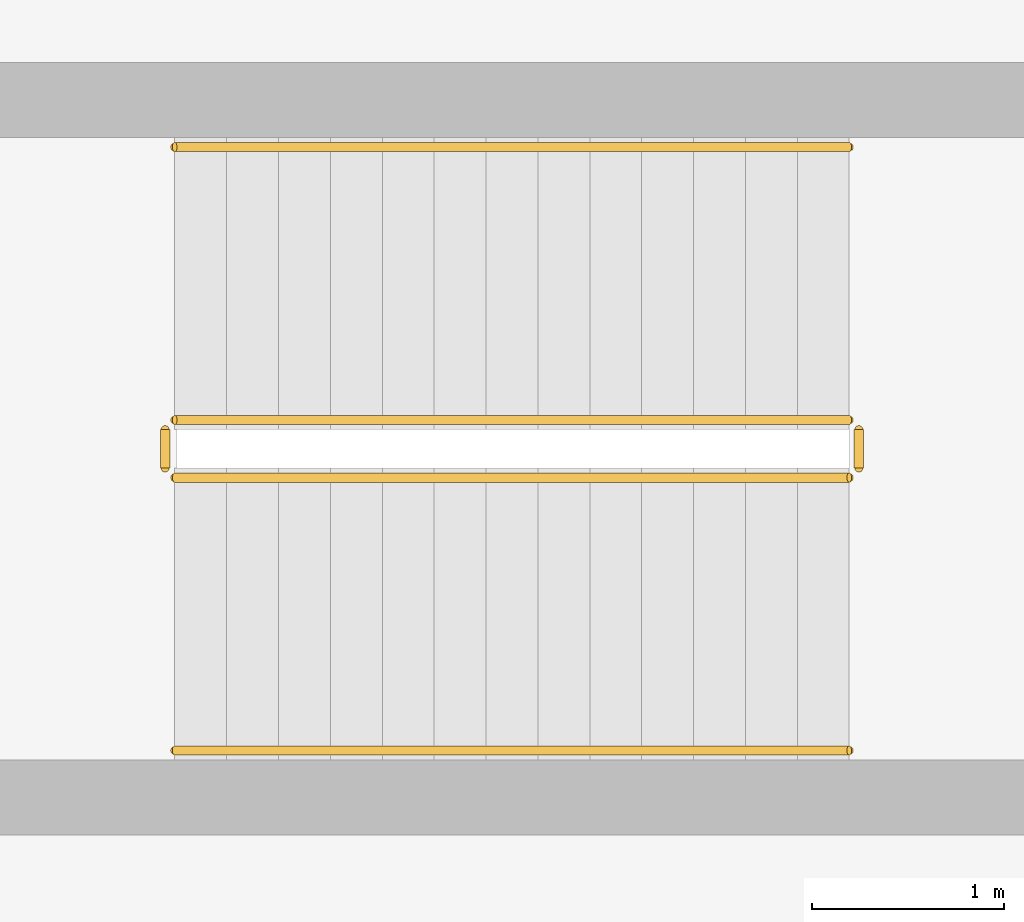
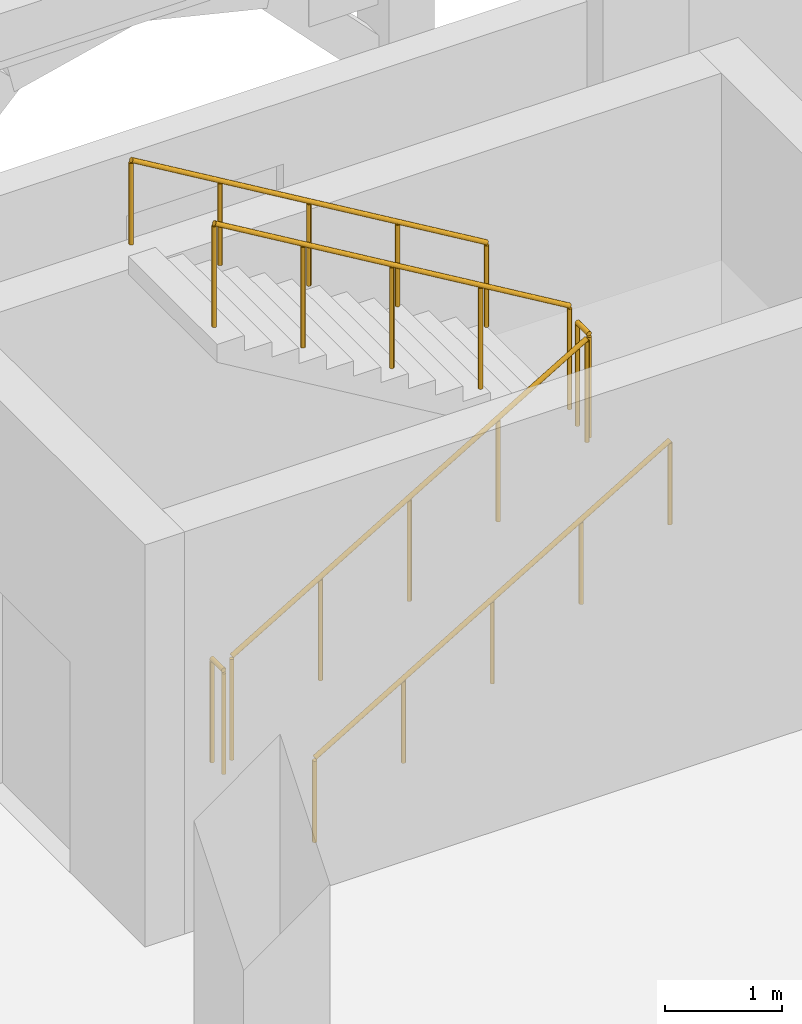
# One storey, part 135 of 137: 6 railings.
"""IFC4 building model written with IfcOpenShell, lengths in metres."""

from ifc_helpers import new_model, si_unit, direction, frame, origin, origin_2d, place, context, subcontext, project, spatial, circle, extrude, material, type_object, element, save


model = new_model("IFC4")

# Units and contexts
model_context = context("Model", 3, precision=1e-05, world=origin(), true_north=direction((0.0, 1.0)))
body_context = subcontext(model_context, "Body", "Model", "MODEL_VIEW")
ifc_project = project(units=[si_unit("LENGTHUNIT", "METRE"), si_unit("AREAUNIT", "SQUARE_METRE"), si_unit("VOLUMEUNIT", "CUBIC_METRE"), si_unit("PLANEANGLEUNIT", "RADIAN"), si_unit("MASSUNIT", "GRAM", prefix="KILO")], contexts=[model_context])

# Site, building, storey
site_placement = place(None, origin())
site = spatial("IfcSite", under=ifc_project, at=site_placement, CompositionType="ELEMENT")
building_placement = place(site_placement, origin())
building = spatial("IfcBuilding", under=site, at=building_placement, Name="Xazarin Passage Department Store", CompositionType="ELEMENT")
storey_placement = place(building_placement, frame((0.0, 0.0, 5.39990234375)))
storey = spatial("IfcBuildingStorey", under=building, at=storey_placement, Name="L01", CompositionType="ELEMENT", Elevation=5.39990234375)

# Railings
ifc_material = material(Name="Steel S355", Category="steel")
railing_type_1 = type_object("IfcRailingType", Name="ARC-RL-GRD112", PredefinedType="GUARDRAIL", material=ifc_material)
railing_1_placement = place(storey_placement, frame((129.639892578125, 105.64990234375, 0.160888671875)))
element("IfcRailing", 1, at=railing_1_placement, inside=storey, type_object=railing_type_1, Name="L01 ST11 stair guard 1", PredefinedType="GUARDRAIL", context=body_context, shape_type="SweptSolid", body=[
    extrude(circle(Radius=0.02392578125, at=origin_2d()), frame((0.0, 0.0, 1.076171875), z_axis=(0.859312273368, 0.0, 0.511451284914), x_axis=(0.0, 1.0, 0.0)), (0.0, 0.0, 1.0), 4.084716796875),
    extrude(circle(Radius=0.02099609375, at=origin_2d()), origin(), (0.0, 0.0, 1.0), 1.0517578125),
    extrude(circle(Radius=0.02099609375, at=origin_2d()), frame((0.87744140625, 0.0, 0.522216796875)), (0.0, 0.0, 1.0), 1.0517578125),
    extrude(circle(Radius=0.02099609375, at=origin_2d()), frame((1.7548828125, 0.0, 1.04443359375)), (0.0, 0.0, 1.0), 1.0517578125),
    extrude(circle(Radius=0.02099609375, at=origin_2d()), frame((2.632568359375, 0.0, 1.56689453125)), (0.0, 0.0, 1.0), 1.0517578125),
    extrude(circle(Radius=0.02099609375, at=origin_2d()), frame((3.510009765625, 0.0, 2.089111328125)), (0.0, 0.0, 1.0), 1.0517578125),
])
railing_2_placement = place(storey_placement, frame((133.199951171875, 105.699951171875, 2.25)))
element("IfcRailing", 2, at=railing_2_placement, inside=storey, type_object=railing_type_1, Name="L01 ST11 stair guard 2", PredefinedType="GUARDRAIL", context=body_context, shape_type="SweptSolid", body=[
    extrude(circle(Radius=0.02392578125, at=origin_2d()), frame((0.0, 0.0, 1.076171875), z_axis=(0.0, 1.0, 0.0), x_axis=(-1.0, 0.0, 0.0)), (0.0, 0.0, 1.0), 0.199951171875),
    extrude(circle(Radius=0.02099609375, at=origin_2d()), origin(), (0.0, 0.0, 1.0), 1.0517578125),
    extrude(circle(Radius=0.02099609375, at=origin_2d()), frame((0.0, 0.199951171875, 0.0)), (0.0, 0.0, 1.0), 1.0517578125),
])
railing_3_placement = place(storey_placement, frame((133.14990234375, 105.949951171875, 2.410888671875)))
element("IfcRailing", 3, at=railing_3_placement, inside=storey, type_object=railing_type_1, Name="L01 ST11 stair guard 3", PredefinedType="GUARDRAIL", context=body_context, shape_type="SweptSolid", body=[
    extrude(circle(Radius=0.02392578125, at=origin_2d()), frame((0.0, 0.0, 1.076171875), z_axis=(-0.859312273368, 0.0, 0.511451284914), x_axis=(0.0, -1.0, 0.0)), (0.0, 0.0, 1.0), 4.084716796875),
    extrude(circle(Radius=0.02099609375, at=origin_2d()), origin(), (0.0, 0.0, 1.0), 1.0517578125),
    extrude(circle(Radius=0.02099609375, at=origin_2d()), frame((-0.87744140625, 0.0, 0.522216796875)), (0.0, 0.0, 1.0), 1.0517578125),
    extrude(circle(Radius=0.02099609375, at=origin_2d()), frame((-1.7548828125, 0.0, 1.04443359375)), (0.0, 0.0, 1.0), 1.0517578125),
    extrude(circle(Radius=0.02099609375, at=origin_2d()), frame((-2.632568359375, 0.0, 1.56689453125)), (0.0, 0.0, 1.0), 1.0517578125),
    extrude(circle(Radius=0.02099609375, at=origin_2d()), frame((-3.510009765625, 0.0, 2.089111328125)), (0.0, 0.0, 1.0), 1.0517578125),
])
railing_4_placement = place(storey_placement, frame((129.590087890625, 105.699951171875, 0.0)))
element("IfcRailing", 4, at=railing_4_placement, inside=storey, type_object=railing_type_1, Name="L01 ST11 stair guard 4", PredefinedType="GUARDRAIL", context=body_context, shape_type="SweptSolid", body=[
    extrude(circle(Radius=0.02392578125, at=origin_2d()), frame((0.0, 0.0, 1.076171875), z_axis=(0.0, 1.0, 0.0), x_axis=(-1.0, 0.0, 0.0)), (0.0, 0.0, 1.0), 0.199951171875),
    extrude(circle(Radius=0.02099609375, at=origin_2d()), origin(), (0.0, 0.0, 1.0), 1.0517578125),
    extrude(circle(Radius=0.02099609375, at=origin_2d()), frame((0.0, 0.199951171875, 0.0)), (0.0, 0.0, 1.0), 1.0517578125),
])
railing_type_2 = type_object("IfcRailingType", Name="ARC-RL-HND090", PredefinedType="HANDRAIL", material=ifc_material)
railing_5_placement = place(storey_placement, frame((129.639892578125, 104.22998046875, 0.160888671875)))
element("IfcRailing", 5, at=railing_5_placement, inside=storey, type_object=railing_type_2, Name="L01 ST11 stair handrail 1", PredefinedType="HANDRAIL", context=body_context, shape_type="SweptSolid", body=[
    extrude(circle(Radius=0.02392578125, at=origin_2d()), frame((0.0, 0.0, 0.8759765625), z_axis=(0.859312273368, 0.0, 0.511451284914), x_axis=(0.0, 1.0, 0.0)), (0.0, 0.0, 1.0), 4.084716796875),
    extrude(circle(Radius=0.02099609375, at=origin_2d()), origin(), (0.0, 0.0, 1.0), 0.8515625),
    extrude(circle(Radius=0.02099609375, at=origin_2d()), frame((0.87744140625, 0.0, 0.522216796875)), (0.0, 0.0, 1.0), 0.8515625),
    extrude(circle(Radius=0.02099609375, at=origin_2d()), frame((1.7548828125, 0.0, 1.04443359375)), (0.0, 0.0, 1.0), 0.8515625),
    extrude(circle(Radius=0.02099609375, at=origin_2d()), frame((2.632568359375, 0.0, 1.56689453125)), (0.0, 0.0, 1.0), 0.8515625),
    extrude(circle(Radius=0.02099609375, at=origin_2d()), frame((3.510009765625, 0.0, 2.089111328125)), (0.0, 0.0, 1.0), 0.8515625),
])
railing_6_placement = place(storey_placement, frame((133.14990234375, 107.3701171875, 2.410888671875)))
element("IfcRailing", 6, at=railing_6_placement, inside=storey, type_object=railing_type_2, Name="L01 ST11 stair handrail 2", PredefinedType="HANDRAIL", context=body_context, shape_type="SweptSolid", body=[
    extrude(circle(Radius=0.02392578125, at=origin_2d()), frame((0.0, 0.0, 0.8759765625), z_axis=(-0.859312273368, 0.0, 0.511451284914), x_axis=(0.0, -1.0, 0.0)), (0.0, 0.0, 1.0), 4.084716796875),
    extrude(circle(Radius=0.02099609375, at=origin_2d()), origin(), (0.0, 0.0, 1.0), 0.8515625),
    extrude(circle(Radius=0.02099609375, at=origin_2d()), frame((-0.87744140625, 0.0, 0.522216796875)), (0.0, 0.0, 1.0), 0.8515625),
    extrude(circle(Radius=0.02099609375, at=origin_2d()), frame((-1.7548828125, 0.0, 1.04443359375)), (0.0, 0.0, 1.0), 0.8515625),
    extrude(circle(Radius=0.02099609375, at=origin_2d()), frame((-2.632568359375, 0.0, 1.56689453125)), (0.0, 0.0, 1.0), 0.8515625),
    extrude(circle(Radius=0.02099609375, at=origin_2d()), frame((-3.510009765625, 0.0, 2.089111328125)), (0.0, 0.0, 1.0), 0.8515625),
])

save(model, "model.ifc")
